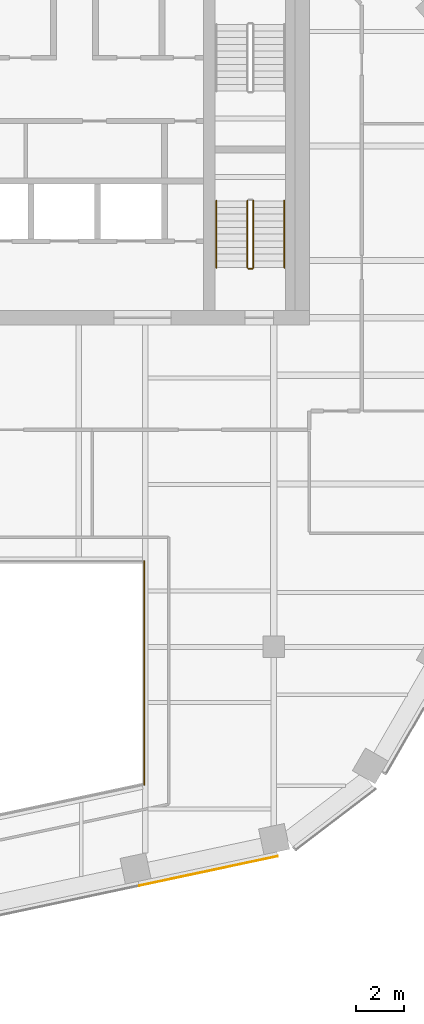
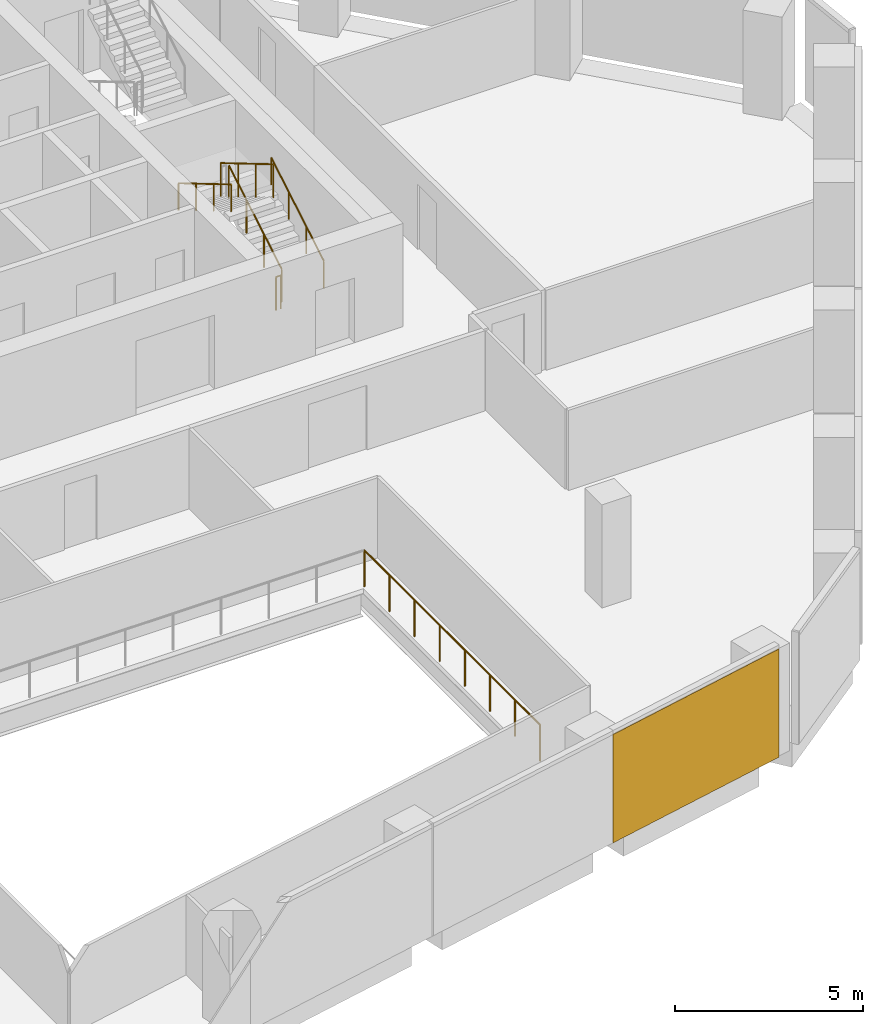
# One storey, part 14 of 16: 6 railings, 1 covering, 1 element without a shape of its own.
"""IFC4 building model written with IfcOpenShell, lengths in metres."""

from ifc_helpers import new_model, si_unit, direction, frame, origin, origin_2d, place, context, subcontext, project, spatial, rectangle, circle, extrude, material, layer, layer_set, type_object, element, aggregate, save


model = new_model("IFC4")

# Units and contexts
model_context = context("Model", 3, precision=1e-05, world=origin(), true_north=direction((0.0, 1.0)))
body_context = subcontext(model_context, "Body", "Model", "MODEL_VIEW")
ifc_project = project(units=[si_unit("LENGTHUNIT", "METRE"), si_unit("AREAUNIT", "SQUARE_METRE"), si_unit("VOLUMEUNIT", "CUBIC_METRE"), si_unit("PLANEANGLEUNIT", "RADIAN"), si_unit("MASSUNIT", "GRAM", prefix="KILO")], contexts=[model_context])

# Site, building, storey
site_placement = place(None, origin())
site = spatial("IfcSite", under=ifc_project, at=site_placement, CompositionType="ELEMENT")
building_placement = place(site_placement, origin())
building = spatial("IfcBuilding", under=site, at=building_placement, Name="Isthmus Gate Tower", CompositionType="ELEMENT")
storey_placement = place(building_placement, frame((0.0, 0.0, 252.800048828125)))
storey = spatial("IfcBuildingStorey", under=building, at=storey_placement, Name="L64", CompositionType="ELEMENT", Elevation=252.800048828125)

# Railing
ifc_material_1 = material(Name="Laminated toughened glass balustrade with steel rail", Category="steel")
railing_type_1 = type_object("IfcRailingType", Name="ATRIUM GUARD GLASS BALUSTRADE 1200", PredefinedType="GUARDRAIL", material=ifc_material_1)
railing_1_placement = place(storey_placement, frame((8.080078125, -9.919921875, 0.0)))
element("IfcRailing", 1, at=railing_1_placement, inside=storey, type_object=railing_type_1, Name="L64 atrium guard", PredefinedType="GUARDRAIL", context=body_context, shape_type="SweptSolid", body=[
    extrude(circle(Radius=0.02490234375, at=origin_2d()), frame((0.0, 0.0, 1.1748046875), z_axis=(0.0, -1.0, 0.0), x_axis=(1.0, 0.0, 0.0)), (0.0, 0.0, 1.0), 9.35498046875),
    extrude(circle(Radius=0.02490234375, at=origin_2d()), origin(), (0.0, 0.0, 1.0), 1.14990234375),
    extrude(circle(Radius=0.02490234375, at=origin_2d()), frame((0.0, -1.33642578125, 0.0)), (0.0, 0.0, 1.0), 1.14990234375),
    extrude(circle(Radius=0.02490234375, at=origin_2d()), frame((0.0, -2.6728515625, 0.0)), (0.0, 0.0, 1.0), 1.14990234375),
    extrude(circle(Radius=0.02490234375, at=origin_2d()), frame((0.0, -4.00927734375, 0.0)), (0.0, 0.0, 1.0), 1.14990234375),
    extrude(circle(Radius=0.02490234375, at=origin_2d()), frame((0.0, -5.345703125, 0.0)), (0.0, 0.0, 1.0), 1.14990234375),
    extrude(circle(Radius=0.02490234375, at=origin_2d()), frame((0.0, -6.68212890625, 0.0)), (0.0, 0.0, 1.0), 1.14990234375),
    extrude(circle(Radius=0.02490234375, at=origin_2d()), frame((0.0, -8.0185546875, 0.0)), (0.0, 0.0, 1.0), 1.14990234375),
    extrude(circle(Radius=0.02490234375, at=origin_2d()), frame((0.0, -9.35498046875, 0.0)), (0.0, 0.0, 1.0), 1.14990234375),
])

# Curtain wall, covering
ifc_material_2 = material(Name="Aluminium, pale champagne anodised", Category="aluminium")
ifc_layer_1 = layer(ifc_material_2, 0.199951171875)
ifc_layer_set_1 = layer_set([ifc_layer_1], Name="CW-1 UNITISED CURTAIN WALL 200 DEEP")
curtain_wall_type = type_object("IfcCurtainWallType", Name="CW-1 UNITISED CURTAIN WALL 200 DEEP", PredefinedType="NOTDEFINED", material=ifc_layer_set_1)
curtain_wall_placement = place(storey_placement, origin())
curtain_wall = element("IfcCurtainWall", 2, at=curtain_wall_placement, inside=storey, type_object=curtain_wall_type, Name="CW-1 S L64", PredefinedType="NOTDEFINED")
ifc_material_3 = material(Name="Aluminium composite panel, pale champagne anodised", Category="aluminium")
ifc_layer_2 = layer(ifc_material_3, 0.031982421875)
ifc_layer_set_2 = layer_set([ifc_layer_2], Name="CW-1 PALE METAL PANEL 32")
covering_type = type_object("IfcCoveringType", Name="CW-1 PALE METAL PANEL 32", PredefinedType="CLADDING", material=ifc_layer_set_2)
covering_placement = place(storey_placement, frame((10.7685546875, -22.899169921875, 0.0), z_axis=(0.0, 0.0, 1.0), x_axis=(0.978147600734, 0.207911690818, 0.0)))
covering = element("IfcCovering", 3, at=covering_placement, type_object=covering_type, Name="CW-1 pale metal panel", PredefinedType="CLADDING", context=body_context, shape_type="SweptSolid", body=[
    extrude(rectangle(XDim=5.94189453125, YDim=0.031982421875, at=origin_2d()), origin(), (0.0, 0.0, 1.0), 3.52001953125),
])
aggregate(curtain_wall, [covering])

# Railings
ifc_material_4 = material(Name="Stainless steel balustrade", Category="steel")
railing_type_2 = type_object("IfcRailingType", Name="STAIR GUARD 1100", PredefinedType="GUARDRAIL", material=ifc_material_4)
railing_2_placement = place(storey_placement, frame((12.64990234375, 2.39990234375, 0.165771484375)))
element("IfcRailing", 4, at=railing_2_placement, inside=storey, type_object=railing_type_2, Name="L64 ST8 stair guard 1", PredefinedType="GUARDRAIL", context=body_context, shape_type="SweptSolid", body=[
    extrude(circle(Radius=0.02392578125, at=origin_2d()), frame((0.0, 0.0, 1.076171875), z_axis=(0.0, 0.860306154799, 0.50977771628), x_axis=(-1.0, 0.0, 0.0)), (0.0, 0.0, 1.0), 3.254638671875),
    extrude(circle(Radius=0.02099609375, at=origin_2d()), origin(), (0.0, 0.0, 1.0), 1.052001953125),
    extrude(circle(Radius=0.02099609375, at=origin_2d()), frame((0.0, 0.933349609375, 0.552978515625)), (0.0, 0.0, 1.0), 1.052001953125),
    extrude(circle(Radius=0.02099609375, at=origin_2d()), frame((0.0, 1.86669921875, 1.106201171875)), (0.0, 0.0, 1.0), 1.052001953125),
    extrude(circle(Radius=0.02099609375, at=origin_2d()), frame((0.0, 2.800048828125, 1.6591796875)), (0.0, 0.0, 1.0), 1.052001953125),
])
railing_3_placement = place(storey_placement, frame((12.39990234375, 5.199951171875, 1.990966796875)))
element("IfcRailing", 5, at=railing_3_placement, inside=storey, type_object=railing_type_2, Name="L64 ST8 stair guard 3", PredefinedType="GUARDRAIL", context=body_context, shape_type="SweptSolid", body=[
    extrude(circle(Radius=0.02392578125, at=origin_2d()), frame((0.0, 0.0, 1.076171875), z_axis=(0.0, -0.860339051648, 0.50972219513), x_axis=(1.0, 0.0, 0.0)), (0.0, 0.0, 1.0), 3.254638671875),
    extrude(circle(Radius=0.02099609375, at=origin_2d()), origin(), (0.0, 0.0, 1.0), 1.052001953125),
    extrude(circle(Radius=0.02099609375, at=origin_2d()), frame((0.0, -0.933349609375, 0.552978515625)), (0.0, 0.0, 1.0), 1.052001953125),
    extrude(circle(Radius=0.02099609375, at=origin_2d()), frame((0.0, -1.86669921875, 1.10595703125)), (0.0, 0.0, 1.0), 1.052001953125),
    extrude(circle(Radius=0.02099609375, at=origin_2d()), frame((0.0, -2.800048828125, 1.658935546875)), (0.0, 0.0, 1.0), 1.052001953125),
])
railing_4_placement = place(storey_placement, frame((12.60009765625, 2.35009765625, 0.0)))
element("IfcRailing", 6, at=railing_4_placement, inside=storey, type_object=railing_type_2, Name="L64 ST8 stair guard 4", PredefinedType="GUARDRAIL", context=body_context, shape_type="SweptSolid", body=[
    extrude(circle(Radius=0.02392578125, at=origin_2d()), frame((0.0, 0.0, 1.076171875), z_axis=(-1.0, 0.0, 0.0), x_axis=(0.0, -1.0, 0.0)), (0.0, 0.0, 1.0), 0.150146484375),
    extrude(circle(Radius=0.02099609375, at=origin_2d()), origin(), (0.0, 0.0, 1.0), 1.052001953125),
    extrude(circle(Radius=0.02099609375, at=origin_2d()), frame((-0.150146484375, 0.0, 0.0)), (0.0, 0.0, 1.0), 1.052001953125),
])
ifc_material_5 = material(Name="Stainless steel handrail", Category="steel")
railing_type_3 = type_object("IfcRailingType", Name="STAIR HANDRAIL 900", PredefinedType="HANDRAIL", material=ifc_material_5)
railing_5_placement = place(storey_placement, frame((13.949951171875, 2.39990234375, 0.165771484375)))
element("IfcRailing", 7, at=railing_5_placement, inside=storey, type_object=railing_type_3, Name="L64 ST8 stair handrail 1", PredefinedType="HANDRAIL", context=body_context, shape_type="SweptSolid", body=[
    extrude(circle(Radius=0.02392578125, at=origin_2d()), frame((0.0, 0.0, 0.8759765625), z_axis=(0.0, 0.860306154799, 0.50977771628), x_axis=(-1.0, 0.0, 0.0)), (0.0, 0.0, 1.0), 3.254638671875),
    extrude(circle(Radius=0.02099609375, at=origin_2d()), origin(), (0.0, 0.0, 1.0), 0.851806640625),
    extrude(circle(Radius=0.02099609375, at=origin_2d()), frame((0.0, 0.933349609375, 0.552978515625)), (0.0, 0.0, 1.0), 0.851806640625),
    extrude(circle(Radius=0.02099609375, at=origin_2d()), frame((0.0, 1.86669921875, 1.106201171875)), (0.0, 0.0, 1.0), 0.851806640625),
    extrude(circle(Radius=0.02099609375, at=origin_2d()), frame((0.0, 2.800048828125, 1.6591796875)), (0.0, 0.0, 1.0), 0.851806640625),
])
railing_6_placement = place(storey_placement, frame((11.10009765625, 5.199951171875, 1.990966796875)))
element("IfcRailing", 8, at=railing_6_placement, inside=storey, type_object=railing_type_3, Name="L64 ST8 stair handrail 2", PredefinedType="HANDRAIL", context=body_context, shape_type="SweptSolid", body=[
    extrude(circle(Radius=0.02392578125, at=origin_2d()), frame((0.0, 0.0, 0.8759765625), z_axis=(0.0, -0.860339051648, 0.50972219513), x_axis=(1.0, 0.0, 0.0)), (0.0, 0.0, 1.0), 3.254638671875),
    extrude(circle(Radius=0.02099609375, at=origin_2d()), origin(), (0.0, 0.0, 1.0), 0.851806640625),
    extrude(circle(Radius=0.02099609375, at=origin_2d()), frame((0.0, -0.933349609375, 0.552978515625)), (0.0, 0.0, 1.0), 0.851806640625),
    extrude(circle(Radius=0.02099609375, at=origin_2d()), frame((0.0, -1.86669921875, 1.10595703125)), (0.0, 0.0, 1.0), 0.851806640625),
    extrude(circle(Radius=0.02099609375, at=origin_2d()), frame((0.0, -2.800048828125, 1.658935546875)), (0.0, 0.0, 1.0), 0.851806640625),
])

save(model, "model.ifc")
